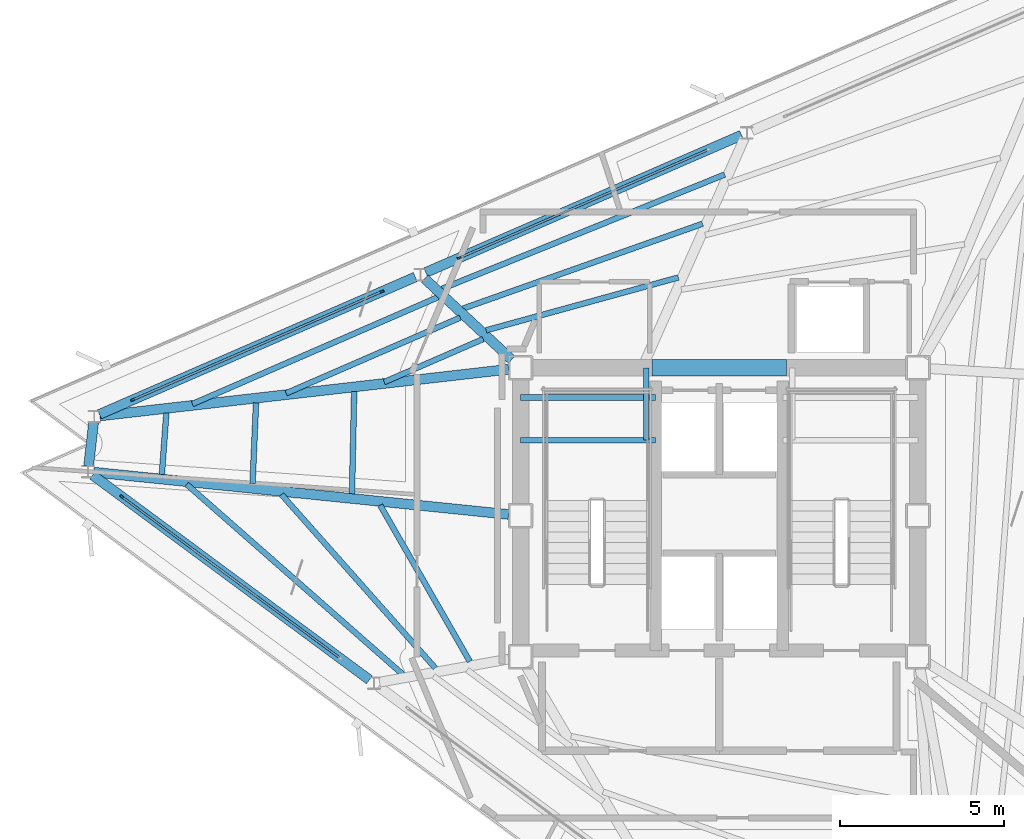
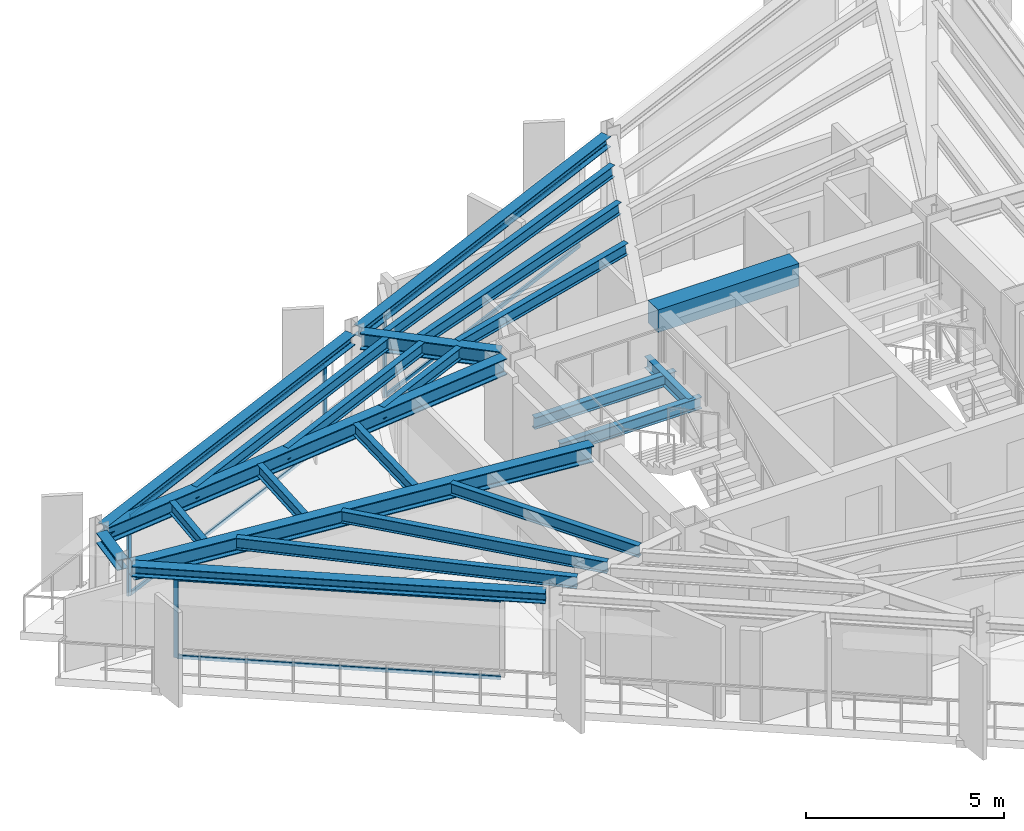
# One storey, part 3 of 9: 23 beams, 10 members, 3 elements without a shape of their own.
"""IFC4 building model written with IfcOpenShell, lengths in metres."""

from ifc_helpers import new_model, si_unit, direction, frame, origin, origin_2d, place, context, subcontext, project, spatial, rectangle, i_section, extrude, material, layer, layer_set, material_profile, profile_set, type_object, element, aggregate, save


model = new_model("IFC4")

# Units and contexts
model_context = context("Model", 3, precision=1e-05, world=origin(), true_north=direction((0.0, 1.0)))
body_context = subcontext(model_context, "Body", "Model", "MODEL_VIEW")
ifc_project = project(units=[si_unit("LENGTHUNIT", "METRE"), si_unit("AREAUNIT", "SQUARE_METRE"), si_unit("VOLUMEUNIT", "CUBIC_METRE"), si_unit("PLANEANGLEUNIT", "RADIAN"), si_unit("MASSUNIT", "GRAM", prefix="KILO")], contexts=[model_context])

# Site, building, storey
site_placement = place(None, origin())
site = spatial("IfcSite", under=ifc_project, at=site_placement, CompositionType="ELEMENT")
building_placement = place(site_placement, origin())
building = spatial("IfcBuilding", under=site, at=building_placement, Name="Rocaltana Carrier Exchange", CompositionType="ELEMENT")
storey_placement = place(building_placement, frame((0.0, 0.0, 233.1201171875)))
storey = spatial("IfcBuildingStorey", under=building, at=storey_placement, Name="L74", CompositionType="ELEMENT", Elevation=233.1201171875)

# Curtain wall, member
ifc_material_1 = material(Name="Aluminium 6063-T6", Category="aluminium")
ifc_layer = layer(ifc_material_1, 0.1201171875)
ifc_layer_set = layer_set([ifc_layer], Name="Aluminium 6063-T6")
curtain_wall_type = type_object("IfcCurtainWallType", Name="High-Altitude Thermal Curtain Wall CW-05", PredefinedType="NOTDEFINED", material=ifc_layer_set)
curtain_wall_1_placement = place(storey_placement, origin())
curtain_wall_1 = element("IfcCurtainWall", 1, at=curtain_wall_1_placement, inside=storey, type_object=curtain_wall_type, Name="L74 CW-05 Run CW-L74-F2S2", PredefinedType="NOTDEFINED")
ifc_material_2 = material(Name="Aluminium 6063-T6", Category="aluminium")
ifc_material_profile_1 = material_profile(ifc_material_2, rectangle(XDim=0.06005859375, YDim=0.1201171875, at=origin_2d()), Name="AL-60X120")
ifc_profile_set_1 = profile_set([ifc_material_profile_1], Name="Aluminium 6063-T6")
member_type_1 = type_object("IfcMemberType", Name="CW-05 Mullion AL-60X120", PredefinedType="MULLION", material=ifc_profile_set_1)
member_1_placement = place(storey_placement, frame((-7.922607421875, 7.846435546875, 0.0), z_axis=(0.0, 0.0, 1.0), x_axis=(0.398752438254, -0.917058609352, 0.0)))
member_1 = element("IfcMember", 2, at=member_1_placement, type_object=member_type_1, Name="CW-05 mullion 2", PredefinedType="MULLION", context=body_context, shape_type="SweptSolid", body=[
    extrude(rectangle(XDim=0.06005859375, YDim=0.1201171875, at=origin_2d()), origin(), (0.0, 0.0, 1.0), 2.447998046875),
])

# Curtain wall, members
curtain_wall_2_placement = place(storey_placement, origin())
curtain_wall_2 = element("IfcCurtainWall", 3, at=curtain_wall_2_placement, inside=storey, type_object=curtain_wall_type, Name="L74 CW-05 Run CW-L74-F2S3", PredefinedType="NOTDEFINED")
member_2_placement = place(storey_placement, frame((-10.270263671875, 6.82568359375, 0.0), z_axis=(0.0, 0.0, 1.0), x_axis=(0.39875682637, -0.917056701313, 0.0)))
member_2 = element("IfcMember", 4, at=member_2_placement, type_object=member_type_1, Name="CW-05 mullion 1", PredefinedType="MULLION", context=body_context, shape_type="SweptSolid", body=[
    extrude(rectangle(XDim=0.06005859375, YDim=0.1201171875, at=origin_2d()), origin(), (0.0, 0.0, 1.0), 2.447998046875),
])
member_3_placement = place(storey_placement, frame((-17.857421875, 3.526611328125, 0.0), z_axis=(0.0, 0.0, 1.0), x_axis=(0.39875682637, -0.917056701313, 0.0)))
member_3 = element("IfcMember", 5, at=member_3_placement, type_object=member_type_1, Name="CW-05 mullion 2", PredefinedType="MULLION", context=body_context, shape_type="SweptSolid", body=[
    extrude(rectangle(XDim=0.06005859375, YDim=0.1201171875, at=origin_2d()), origin(), (0.0, 0.0, 1.0), 2.447998046875),
])

# Curtain wall, member
curtain_wall_3_placement = place(storey_placement, origin())
curtain_wall_3 = element("IfcCurtainWall", 6, at=curtain_wall_3_placement, inside=storey, type_object=curtain_wall_type, Name="L74 CW-05 Run CW-L74-F3S1", PredefinedType="NOTDEFINED")
member_4_placement = place(storey_placement, frame((-18.19287109375, 0.580810546875, 0.0), z_axis=(0.0, 0.0, 1.0), x_axis=(0.594826566974, 0.803854063386, 0.0)))
member_4 = element("IfcMember", 7, at=member_4_placement, type_object=member_type_1, Name="CW-05 mullion 1", PredefinedType="MULLION", context=body_context, shape_type="SweptSolid", body=[
    extrude(rectangle(XDim=0.06005859375, YDim=0.1201171875, at=origin_2d()), origin(), (0.0, 0.0, 1.0), 2.447998046875),
])

# Member
ifc_material_3 = material(Name="Aluminium 6063-T6", Category="aluminium")
ifc_material_profile_2 = material_profile(ifc_material_3, rectangle(XDim=0.06005859375, YDim=0.1201171875, at=origin_2d()), Name="AL-60X120")
ifc_profile_set_2 = profile_set([ifc_material_profile_2], Name="Aluminium 6063-T6")
member_type_2 = type_object("IfcMemberType", Name="CW-05 Transom AL-60X120", PredefinedType="USERDEFINED", material=ifc_profile_set_2)
member_5_placement = place(storey_placement, frame((-0.36279296875, 11.133544921875, 0.02978515625), z_axis=(-0.917058241688, -0.398753283814, 0.0), x_axis=(0.398753283814, -0.917058241688, 0.0)))
member_5 = element("IfcMember", 8, at=member_5_placement, type_object=member_type_2, Name="CW-05 transom 1.1", ObjectType="TRANSOM", PredefinedType="USERDEFINED", context=body_context, shape_type="SweptSolid", body=[
    extrude(rectangle(XDim=0.06005859375, YDim=0.1201171875, at=origin_2d()), origin(), (0.0, 0.0, 1.0), 8.21337890625),
])

member_6_placement = place(storey_placement, frame((-0.36279296875, 11.133544921875, 2.41796875), z_axis=(-0.917058241688, -0.398753283814, 0.0), x_axis=(0.398753283814, -0.917058241688, 0.0)))
member_6 = element("IfcMember", 9, at=member_6_placement, type_object=member_type_2, Name="CW-05 transom 1.2", ObjectType="TRANSOM", PredefinedType="USERDEFINED", context=body_context, shape_type="SweptSolid", body=[
    extrude(rectangle(XDim=0.06005859375, YDim=0.1201171875, at=origin_2d()), origin(), (0.0, 0.0, 1.0), 8.21337890625),
])

aggregate(curtain_wall_1, [member_1, member_5, member_6])

member_7_placement = place(storey_placement, frame((-10.297607421875, 6.813720703125, 0.02978515625), z_axis=(-0.917058241688, -0.398753283814, 0.0), x_axis=(0.398753283814, -0.917058241688, 0.0)))
member_7 = element("IfcMember", 10, at=member_7_placement, type_object=member_type_2, Name="CW-05 transom 1.1", ObjectType="TRANSOM", PredefinedType="USERDEFINED", context=body_context, shape_type="SweptSolid", body=[
    extrude(rectangle(XDim=0.06005859375, YDim=0.1201171875, at=origin_2d()), origin(), (0.0, 0.0, 1.0), 8.21337890625),
])

member_8_placement = place(storey_placement, frame((-10.297607421875, 6.813720703125, 2.41796875), z_axis=(-0.917058241688, -0.398753283814, 0.0), x_axis=(0.398753283814, -0.917058241688, 0.0)))
member_8 = element("IfcMember", 11, at=member_8_placement, type_object=member_type_2, Name="CW-05 transom 1.2", ObjectType="TRANSOM", PredefinedType="USERDEFINED", context=body_context, shape_type="SweptSolid", body=[
    extrude(rectangle(XDim=0.06005859375, YDim=0.1201171875, at=origin_2d()), origin(), (0.0, 0.0, 1.0), 8.21337890625),
])

aggregate(curtain_wall_2, [member_2, member_3, member_7, member_8])

member_9_placement = place(storey_placement, frame((-18.1689453125, 0.56298828125, 0.02978515625), z_axis=(0.803853553959, -0.594827255418, 0.0), x_axis=(0.594827255418, 0.803853553959, 0.0)))
member_9 = element("IfcMember", 12, at=member_9_placement, type_object=member_type_2, Name="CW-05 transom 1.1", ObjectType="TRANSOM", PredefinedType="USERDEFINED", context=body_context, shape_type="SweptSolid", body=[
    extrude(rectangle(XDim=0.06005859375, YDim=0.1201171875, at=origin_2d()), origin(), (0.0, 0.0, 1.0), 8.21337890625),
])

member_10_placement = place(storey_placement, frame((-18.1689453125, 0.56298828125, 2.41796875), z_axis=(0.803853553959, -0.594827255418, 0.0), x_axis=(0.594827255418, 0.803853553959, 0.0)))
member_10 = element("IfcMember", 13, at=member_10_placement, type_object=member_type_2, Name="CW-05 transom 1.2", ObjectType="TRANSOM", PredefinedType="USERDEFINED", context=body_context, shape_type="SweptSolid", body=[
    extrude(rectangle(XDim=0.06005859375, YDim=0.1201171875, at=origin_2d()), origin(), (0.0, 0.0, 1.0), 8.21337890625),
])

aggregate(curtain_wall_3, [member_4, member_9, member_10])

# Beams
ifc_material_4 = material(Name="Concrete C60/75", Category="concrete")
ifc_material_profile_3 = material_profile(ifc_material_4, rectangle(XDim=0.5, YDim=0.699951171875, at=origin_2d()), Name="RC-BM-500X700")
ifc_profile_set_3 = profile_set([ifc_material_profile_3], Name="Concrete C60/75")
beam_type_1 = type_object("IfcBeamType", Name="Core Coupling Lintel 500x700", PredefinedType="LINTEL", material=ifc_profile_set_3)
beam_1_placement = place(storey_placement, frame((-2.050048828125, 4.5, 2.447998046875), z_axis=(1.0, 0.0, 0.0), x_axis=(0.0, 1.0, 0.0)))
element("IfcBeam", 14, at=beam_1_placement, inside=storey, type_object=beam_type_1, Name="L74 Core Coupling Lintel CL-N", PredefinedType="LINTEL", context=body_context, shape_type="SweptSolid", body=[
    extrude(rectangle(XDim=0.5, YDim=0.699951171875, at=origin_2d()), origin(), (0.0, 0.0, 1.0), 4.10009765625),
])
ifc_material_5 = material(Name="Steel S355", Category="steel")
ifc_material_profile_4 = material_profile(ifc_material_5, i_section(OverallWidth=0.172119140625, OverallDepth=0.35791015625, WebThickness=0.0078125, FlangeThickness=0.01318359375, FilletRadius=0.011962890625, at=origin_2d()), Name="W14X38")
ifc_profile_set_4 = profile_set([ifc_material_profile_4], Name="Steel S355")
beam_type_2 = type_object("IfcBeamType", Name="Floor Joist W14X38", PredefinedType="JOIST", material=ifc_profile_set_4)
for number, where, z_axis, x_axis, name in (
    (15, (-6.050048828125, 2.300048828125, 1.140869140625), (1.0, 0.0, 0.0), (0.0, 1.0, 0.0), "L74 ST-1 Landing Carrier 1"),
    (16, (-6.050048828125, 3.60009765625, 1.140869140625), (1.0, 0.0, 0.0), (0.0, 1.0, 0.0), "L74 ST-1 Landing Carrier 2"),
):
    element("IfcBeam", number, at=place(storey_placement, frame(where, z_axis=z_axis, x_axis=x_axis)), inside=storey, type_object=beam_type_2, Name=name, PredefinedType="JOIST", context=body_context, shape_type="SweptSolid", body=[
        extrude(i_section(OverallWidth=0.172119140625, OverallDepth=0.35791015625, WebThickness=0.0078125, FlangeThickness=0.01318359375, FilletRadius=0.011962890625, at=origin_2d()), origin(), (0.0, 0.0, 1.0), 4.110107421875),
    ])
beam_2_placement = place(storey_placement, frame((-2.219970703125, 2.300048828125, 1.140869140625), z_axis=(0.0, 1.0, 0.0), x_axis=(-1.0, 0.0, 0.0)))
element("IfcBeam", 17, at=beam_2_placement, inside=storey, type_object=beam_type_2, Name="L74 ST-1 Landing Cross Trimmer", PredefinedType="JOIST", context=body_context, shape_type="SweptSolid", body=[
    extrude(i_section(OverallWidth=0.172119140625, OverallDepth=0.35791015625, WebThickness=0.0078125, FlangeThickness=0.01318359375, FilletRadius=0.011962890625, at=origin_2d()), origin(), (0.0, 0.0, 1.0), 2.199951171875),
])
beam_3_placement = place(storey_placement, frame((-1.245361328125, 7.252685546875, 2.618896484375), z_axis=(-0.964263719162, -0.26494429586, 0.0), x_axis=(0.26494429586, -0.964263719162, 0.0)))
element("IfcBeam", 18, at=beam_3_placement, inside=storey, type_object=beam_type_2, Name="FJ-L74-06-1", PredefinedType="JOIST", context=body_context, shape_type="SweptSolid", body=[
    extrude(i_section(OverallWidth=0.172119140625, OverallDepth=0.35791015625, WebThickness=0.0078125, FlangeThickness=0.01318359375, FilletRadius=0.011962890625, at=origin_2d()), origin(), (0.0, 0.0, 1.0), 6.07080078125),
])
beam_4_placement = place(storey_placement, frame((-0.5087890625, 8.888427734375, 2.618896484375), z_axis=(-0.942681203014, -0.333694695019, 0.0), x_axis=(0.333694695019, -0.942681203014, 0.0)))
element("IfcBeam", 19, at=beam_4_placement, inside=storey, type_object=beam_type_2, Name="FJ-L74-06-2", PredefinedType="JOIST", context=body_context, shape_type="SweptSolid", body=[
    extrude(i_section(OverallWidth=0.172119140625, OverallDepth=0.35791015625, WebThickness=0.0078125, FlangeThickness=0.01318359375, FilletRadius=0.011962890625, at=origin_2d()), origin(), (0.0, 0.0, 1.0), 7.73779296875),
])
beam_5_placement = place(storey_placement, frame((0.162841796875, 10.385498046875, 2.618896484375), z_axis=(-0.927185285553, -0.374603051582, 0.0), x_axis=(0.374603051582, -0.927185285553, 0.0)))
element("IfcBeam", 20, at=beam_5_placement, inside=storey, type_object=beam_type_2, Name="FJ-L74-06-3", PredefinedType="JOIST", context=body_context, shape_type="SweptSolid", body=[
    extrude(i_section(OverallWidth=0.172119140625, OverallDepth=0.35791015625, WebThickness=0.0078125, FlangeThickness=0.01318359375, FilletRadius=0.011962890625, at=origin_2d()), origin(), (0.0, 0.0, 1.0), 9.283935546875),
])
beam_6_placement = place(storey_placement, frame((-7.1875, 5.37841796875, 2.618896484375), z_axis=(-0.917065332478, -0.398736975923, 0.0), x_axis=(0.398736975923, -0.917065332478, 0.0)))
element("IfcBeam", 21, at=beam_6_placement, inside=storey, type_object=beam_type_2, Name="FJ-L74-07-1", PredefinedType="JOIST", context=body_context, shape_type="SweptSolid", body=[
    extrude(i_section(OverallWidth=0.172119140625, OverallDepth=0.35791015625, WebThickness=0.0078125, FlangeThickness=0.01318359375, FilletRadius=0.011962890625, at=origin_2d()), origin(), (0.0, 0.0, 1.0), 3.286865234375),
])
beam_7_placement = place(storey_placement, frame((-7.887939453125, 6.03076171875, 2.618896484375), z_axis=(-0.917067369584, -0.398732290696, 0.0), x_axis=(0.398732290696, -0.917067369584, 0.0)))
element("IfcBeam", 22, at=beam_7_placement, inside=storey, type_object=beam_type_2, Name="FJ-L74-07-2", PredefinedType="JOIST", context=body_context, shape_type="SweptSolid", body=[
    extrude(i_section(OverallWidth=0.172119140625, OverallDepth=0.35791015625, WebThickness=0.0078125, FlangeThickness=0.01318359375, FilletRadius=0.011962890625, at=origin_2d()), origin(), (0.0, 0.0, 1.0), 5.77880859375),
])
beam_8_placement = place(storey_placement, frame((-8.55810546875, 6.65478515625, 2.618896484375), z_axis=(-0.917059118447, -0.398751267426, 0.0), x_axis=(0.398751267426, -0.917059118447, 0.0)))
element("IfcBeam", 23, at=beam_8_placement, inside=storey, type_object=beam_type_2, Name="FJ-L74-07-3", PredefinedType="JOIST", context=body_context, shape_type="SweptSolid", body=[
    extrude(i_section(OverallWidth=0.172119140625, OverallDepth=0.35791015625, WebThickness=0.0078125, FlangeThickness=0.01318359375, FilletRadius=0.011962890625, at=origin_2d()), origin(), (0.0, 0.0, 1.0), 8.162109375),
])
beam_9_placement = place(storey_placement, frame((-11.11572265625, 3.77734375, 2.618896484375), z_axis=(-0.021897715524, -0.999760216279, 0.0), x_axis=(0.999760216279, -0.021897715524, 0.0)))
element("IfcBeam", 24, at=beam_9_placement, inside=storey, type_object=beam_type_2, Name="FJ-L74-08-1", PredefinedType="JOIST", context=body_context, shape_type="SweptSolid", body=[
    extrude(i_section(OverallWidth=0.172119140625, OverallDepth=0.35791015625, WebThickness=0.0078125, FlangeThickness=0.01318359375, FilletRadius=0.011962890625, at=origin_2d()), origin(), (0.0, 0.0, 1.0), 3.110595703125),
])
beam_10_placement = place(storey_placement, frame((-14.1044921875, 3.436279296875, 2.618896484375), z_axis=(-0.04302848557, -0.999073845834, 0.0), x_axis=(0.999073845834, -0.04302848557, 0.0)))
element("IfcBeam", 25, at=beam_10_placement, inside=storey, type_object=beam_type_2, Name="FJ-L74-08-2", PredefinedType="JOIST", context=body_context, shape_type="SweptSolid", body=[
    extrude(i_section(OverallWidth=0.172119140625, OverallDepth=0.35791015625, WebThickness=0.0078125, FlangeThickness=0.01318359375, FilletRadius=0.011962890625, at=origin_2d()), origin(), (0.0, 0.0, 1.0), 2.46240234375),
])
beam_11_placement = place(storey_placement, frame((-16.8349609375, 3.124755859375, 2.618896484375), z_axis=(-0.07328566638, -0.997310990165, 0.0), x_axis=(0.997310990165, -0.07328566638, 0.0)))
element("IfcBeam", 26, at=beam_11_placement, inside=storey, type_object=beam_type_2, Name="FJ-L74-08-3", PredefinedType="JOIST", context=body_context, shape_type="SweptSolid", body=[
    extrude(i_section(OverallWidth=0.172119140625, OverallDepth=0.35791015625, WebThickness=0.0078125, FlangeThickness=0.01318359375, FilletRadius=0.011962890625, at=origin_2d()), origin(), (0.0, 0.0, 1.0), 1.872314453125),
])
beam_12_placement = place(storey_placement, frame((-10.3251953125, 0.318115234375, 2.618896484375), z_axis=(0.497781973969, -0.867302200153, 0.0), x_axis=(0.867302200153, 0.497781973969, 0.0)))
element("IfcBeam", 27, at=beam_12_placement, inside=storey, type_object=beam_type_2, Name="FJ-L74-09-1", PredefinedType="JOIST", context=body_context, shape_type="SweptSolid", body=[
    extrude(i_section(OverallWidth=0.172119140625, OverallDepth=0.35791015625, WebThickness=0.0078125, FlangeThickness=0.01318359375, FilletRadius=0.011962890625, at=origin_2d()), origin(), (0.0, 0.0, 1.0), 5.48583984375),
])
beam_13_placement = place(storey_placement, frame((-13.330810546875, 0.643798828125, 2.618896484375), z_axis=(0.663404294512, -0.748261145605, 0.0), x_axis=(0.748261145605, 0.663404294512, 0.0)))
element("IfcBeam", 28, at=beam_13_placement, inside=storey, type_object=beam_type_2, Name="FJ-L74-09-2", PredefinedType="JOIST", context=body_context, shape_type="SweptSolid", body=[
    extrude(i_section(OverallWidth=0.172119140625, OverallDepth=0.35791015625, WebThickness=0.0078125, FlangeThickness=0.01318359375, FilletRadius=0.011962890625, at=origin_2d()), origin(), (0.0, 0.0, 1.0), 7.063232421875),
])
beam_14_placement = place(storey_placement, frame((-16.2158203125, 0.951904296875, 2.618896484375), z_axis=(0.750985569643, -0.66031861566, 0.0), x_axis=(0.66031861566, 0.750985569643, 0.0)))
element("IfcBeam", 29, at=beam_14_placement, inside=storey, type_object=beam_type_2, Name="FJ-L74-09-3", PredefinedType="JOIST", context=body_context, shape_type="SweptSolid", body=[
    extrude(i_section(OverallWidth=0.172119140625, OverallDepth=0.35791015625, WebThickness=0.0078125, FlangeThickness=0.01318359375, FilletRadius=0.011962890625, at=origin_2d()), origin(), (0.0, 0.0, 1.0), 8.7568359375),
])
ifc_material_6 = material(Name="Steel S355", Category="steel")
ifc_material_profile_5 = material_profile(ifc_material_6, i_section(OverallWidth=0.300048828125, OverallDepth=0.320068359375, WebThickness=0.011474609375, FlangeThickness=0.0205078125, FilletRadius=0.027099609375, at=origin_2d()), Name="HEB320")
ifc_profile_set_5 = profile_set([ifc_material_profile_5], Name="Steel S355")
beam_type_3 = type_object("IfcBeamType", Name="Spandrel Edge Beam HEB320", PredefinedType="SPANDREL", material=ifc_profile_set_5)
beam_15_placement = place(storey_placement, frame((0.678955078125, 11.58642578125, 2.637939453125), z_axis=(-0.917064503536, -0.398738882421, 0.0), x_axis=(0.398738882421, -0.917064503536, 0.0)))
element("IfcBeam", 30, at=beam_15_placement, inside=storey, type_object=beam_type_3, Name="SP-L74-06", PredefinedType="SPANDREL", context=body_context, shape_type="SweptSolid", body=[
    extrude(i_section(OverallWidth=0.300048828125, OverallDepth=0.320068359375, WebThickness=0.011474609375, FlangeThickness=0.0205078125, FilletRadius=0.027099609375, at=origin_2d()), origin(), (0.0, 0.0, 1.0), 10.4853515625),
])
beam_16_placement = place(storey_placement, frame((-9.256103515625, 7.2666015625, 2.637939453125), z_axis=(-0.917060801428, -0.398747396838, 0.0), x_axis=(0.398747396838, -0.917060801428, 0.0)))
element("IfcBeam", 31, at=beam_16_placement, inside=storey, type_object=beam_type_3, Name="SP-L74-07", PredefinedType="SPANDREL", context=body_context, shape_type="SweptSolid", body=[
    extrude(i_section(OverallWidth=0.300048828125, OverallDepth=0.320068359375, WebThickness=0.011474609375, FlangeThickness=0.0205078125, FilletRadius=0.027099609375, at=origin_2d()), origin(), (0.0, 0.0, 1.0), 10.485107421875),
])
beam_17_placement = place(storey_placement, frame((-19.05078125, 2.84326171875, 2.637939453125), z_axis=(-0.113216978155, -0.993570287326, 0.0), x_axis=(0.993570287326, -0.113216978155, 0.0)))
element("IfcBeam", 32, at=beam_17_placement, inside=storey, type_object=beam_type_3, Name="SP-L74-08", PredefinedType="SPANDREL", context=body_context, shape_type="SweptSolid", body=[
    extrude(i_section(OverallWidth=0.300048828125, OverallDepth=0.320068359375, WebThickness=0.011474609375, FlangeThickness=0.0205078125, FilletRadius=0.027099609375, at=origin_2d()), origin(), (0.0, 0.0, 1.0), 1.3369140625),
])
beam_18_placement = place(storey_placement, frame((-19.08203125, 1.238525390625, 2.637939453125), z_axis=(0.80386149379, -0.594816525326, 0.0), x_axis=(0.594816525326, 0.80386149379, 0.0)))
element("IfcBeam", 33, at=beam_18_placement, inside=storey, type_object=beam_type_3, Name="SP-L74-09", PredefinedType="SPANDREL", context=body_context, shape_type="SweptSolid", body=[
    extrude(i_section(OverallWidth=0.300048828125, OverallDepth=0.320068359375, WebThickness=0.011474609375, FlangeThickness=0.0205078125, FilletRadius=0.027099609375, at=origin_2d()), origin(), (0.0, 0.0, 1.0), 10.4853515625),
])
ifc_material_7 = material(Name="Steel S355", Category="steel")
ifc_material_profile_6 = material_profile(ifc_material_7, i_section(OverallWidth=0.300048828125, OverallDepth=0.5, WebThickness=0.014404296875, FlangeThickness=0.028076171875, FilletRadius=0.027099609375, at=origin_2d()), Name="HEB500")
ifc_profile_set_6 = profile_set([ifc_material_profile_6], Name="Steel S355")
beam_type_4 = type_object("IfcBeamType", Name="Upper Radial Girder HEB500", PredefinedType="BEAM", material=ifc_profile_set_6)
beam_19_placement = place(storey_placement, frame((-6.318603515625, 4.75, 2.5478515625), z_axis=(-0.731938033682, 0.681371201952, 0.0), x_axis=(-0.681371201952, -0.731938033682, 0.0)))
element("IfcBeam", 34, at=beam_19_placement, inside=storey, type_object=beam_type_4, Name="RG-L74-07", PredefinedType="BEAM", context=body_context, shape_type="SweptSolid", body=[
    extrude(i_section(OverallWidth=0.300048828125, OverallDepth=0.5, WebThickness=0.014404296875, FlangeThickness=0.028076171875, FilletRadius=0.027099609375, at=origin_2d()), origin(), (0.0, 0.0, 1.0), 3.62109375),
])
beam_20_placement = place(storey_placement, frame((-6.41455078125, 4.458251953125, 2.5478515625), z_axis=(-0.993530787672, -0.113563083559, 0.0), x_axis=(0.113563083559, -0.993530787672, 0.0)))
element("IfcBeam", 35, at=beam_20_placement, inside=storey, type_object=beam_type_4, Name="RG-L74-08", PredefinedType="BEAM", context=body_context, shape_type="SweptSolid", body=[
    extrude(i_section(OverallWidth=0.300048828125, OverallDepth=0.5, WebThickness=0.014404296875, FlangeThickness=0.028076171875, FilletRadius=0.027099609375, at=origin_2d()), origin(), (0.0, 0.0, 1.0), 12.52490234375),
])
beam_21_placement = place(storey_placement, frame((-6.4150390625, 0.037109375, 2.5478515625), z_axis=(-0.994848515537, 0.101372733679, 0.0), x_axis=(-0.101372733679, -0.994848515537, 0.0)))
element("IfcBeam", 36, at=beam_21_placement, inside=storey, type_object=beam_type_4, Name="RG-L74-09", PredefinedType="BEAM", context=body_context, shape_type="SweptSolid", body=[
    extrude(i_section(OverallWidth=0.300048828125, OverallDepth=0.5, WebThickness=0.014404296875, FlangeThickness=0.028076171875, FilletRadius=0.027099609375, at=origin_2d()), origin(), (0.0, 0.0, 1.0), 12.69921875),
])

save(model, "model.ifc")
